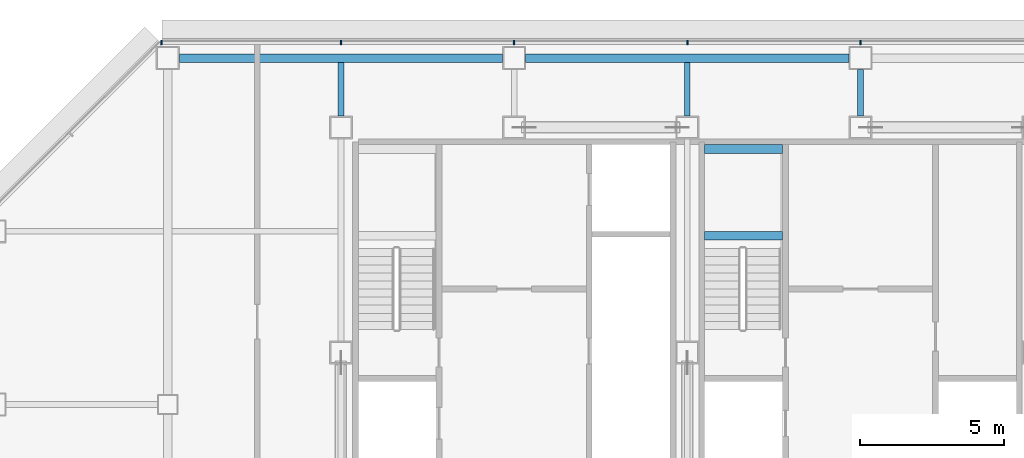
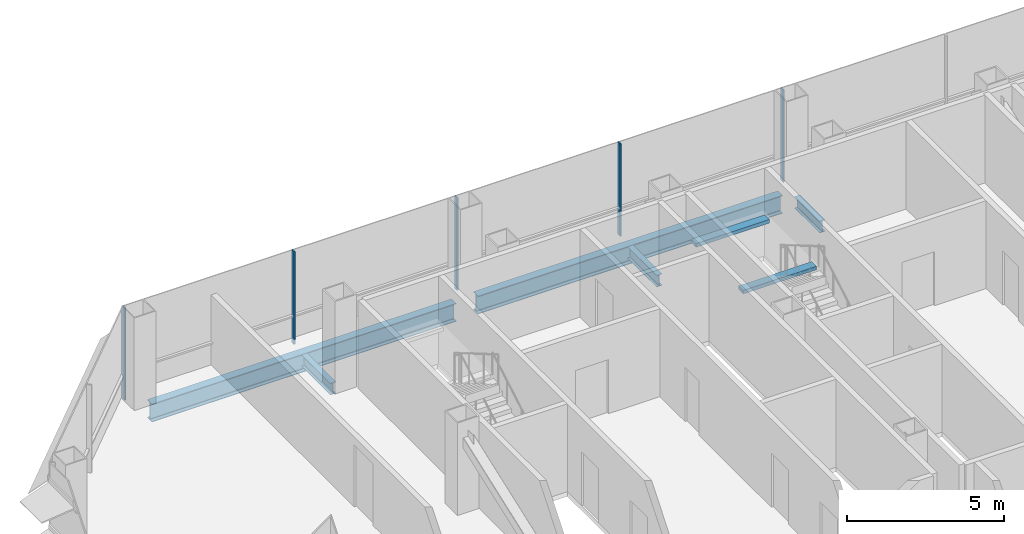
# One storey, part 12 of 25: 7 beams, 5 members, 1 element without a shape of its own.
"""IFC4 building model written with IfcOpenShell, lengths in metres."""

import ifcopenshell
import ifcopenshell.guid

model = None  # the IFC model being written
_history = None  # IfcOwnerHistory: only IFC2X3 demands one
_inside = {}  # id of a spatial element -> (the spatial element, [elements in it])
_under = {}  # id of a project, library or spatial element -> (it, [spatial elements below it])
_declared = {}  # id of a project -> (the project, [libraries it declares])
_typed = {}  # id of a type object -> (the type object, [elements of that type])
_made_of = {}  # id of a material, layer set ... -> (it, [elements and type objects made of it])


def new_model(schema):
    """Start an empty IFC model of exactly this schema.

    Asked for "IFC4X3", IfcOpenShell would pick the latest addendum, in which some entities
    have other attributes; the version numbers below select the first issue.
    IFC2X3 requires an IfcOwnerHistory on every rooted entity: one is made here for all.
    """
    global model, _history
    if schema == "IFC4X3":
        model = ifcopenshell.file(schema_version=(4, 3, 0, 0))
    else:
        model = ifcopenshell.file(schema=schema)
    _inside.clear()
    _under.clear()
    _declared.clear()
    _typed.clear()
    _made_of.clear()
    _history = None
    if model.schema == "IFC2X3":
        org = make("IfcOrganization", Name="unknown")
        user = make(
            "IfcPersonAndOrganization",
            ThePerson=make("IfcPerson", FamilyName="unknown"),
            TheOrganization=org,
        )
        app = make(
            "IfcApplication",
            ApplicationDeveloper=org,
            Version="unknown",
            ApplicationFullName="unknown",
            ApplicationIdentifier="unknown",
        )
        _history = make(
            "IfcOwnerHistory",
            OwningUser=user,
            OwningApplication=app,
            ChangeAction="ADDED",
            CreationDate=0,
        )
    return model


def make(cls, **values):
    """One entity of the class cls with the attributes given. An attribute that is None is left unset."""
    return model.create_entity(
        cls, **{name: value for name, value in values.items() if value is not None}
    )


def rooted(cls, **values):
    """An entity with a GlobalId (a new one), such as an element, a storey or a relation."""
    return make(cls, GlobalId=ifcopenshell.guid.new(), OwnerHistory=_history, **values)


def si_unit(unit_type, name, prefix=None):
    """IfcSIUnit, for example si_unit("LENGTHUNIT", "METRE", prefix="MILLI")."""
    return make("IfcSIUnit", UnitType=unit_type, Prefix=prefix, Name=name)


def assignment(units):
    """IfcUnitAssignment: the units of a project."""
    return None if units is None else make("IfcUnitAssignment", Units=units)


def point(xyz):
    """IfcCartesianPoint."""
    return None if xyz is None else make("IfcCartesianPoint", Coordinates=xyz)


def direction(xyz):
    """IfcDirection."""
    return None if xyz is None else make("IfcDirection", DirectionRatios=xyz)


def frame(location, z_axis=None, x_axis=None):
    """IfcAxis2Placement3D, a coordinate frame: its origin and axes. An axis left out is left unset."""
    return make(
        "IfcAxis2Placement3D",
        Location=point(location),
        Axis=direction(z_axis),
        RefDirection=direction(x_axis),
    )


def frame_2d(location, x_axis=None):
    """IfcAxis2Placement2D, a coordinate frame in the plane: its origin and x axis."""
    return make(
        "IfcAxis2Placement2D", Location=point(location), RefDirection=direction(x_axis)
    )


def origin():
    """The frame at (0, 0, 0) with its axes left unset."""
    return frame((0.0, 0.0, 0.0))


def origin_2d():
    """The frame at (0, 0) in the plane with its x axis left unset."""
    return frame_2d((0.0, 0.0))


def place(relative_to, where):
    """IfcLocalPlacement: puts the frame where relative to a parent placement (None: the world)."""
    return make(
        "IfcLocalPlacement", PlacementRelTo=relative_to, RelativePlacement=where
    )


def context(
    kind, dimensions, precision=None, world=None, true_north=None, identifier=None
):
    """IfcGeometricRepresentationContext, for example the 3D "Model" context."""
    return make(
        "IfcGeometricRepresentationContext",
        ContextIdentifier=identifier,
        ContextType=kind,
        CoordinateSpaceDimension=dimensions,
        Precision=precision,
        WorldCoordinateSystem=world,
        TrueNorth=true_north,
    )


def subcontext(parent, identifier, kind, view, scale=None):
    """IfcGeometricRepresentationSubContext, for example "Body" below "Model"."""
    return make(
        "IfcGeometricRepresentationSubContext",
        ContextIdentifier=identifier,
        ContextType=kind,
        ParentContext=parent,
        TargetScale=scale,
        TargetView=view,
    )


def project(units=None, contexts=None):
    """IfcProject with its units and contexts."""
    return rooted(
        "IfcProject",
        Name="project",
        RepresentationContexts=contexts,
        UnitsInContext=assignment(units),
    )


def spatial(cls, under=None, at=None, **own):
    """A site, building, storey or space (cls), placed at a placement, below another one or the project."""
    s = rooted(cls, ObjectPlacement=at, **own)
    if under is not None:
        _under.setdefault(under.id(), (under, []))[1].append(s)
    return s


def profile(cls, at=None, kind="AREA", **sizes):
    """A parametric profile (cls). Its sizes go by their IFC names, for example OverallWidth=200.0."""
    return make(cls, ProfileType=kind, Position=at, **sizes)


def rectangle(**sizes):
    """IfcRectangleProfileDef."""
    return profile("IfcRectangleProfileDef", **sizes)


def i_section(**sizes):
    """IfcIShapeProfileDef."""
    return profile("IfcIShapeProfileDef", **sizes)


def extrude(swept, where, along, depth):
    """IfcExtrudedAreaSolid: the profile swept, set in the frame where, extruded along a direction by depth."""
    return make(
        "IfcExtrudedAreaSolid",
        SweptArea=swept,
        Position=where,
        ExtrudedDirection=direction(along),
        Depth=depth,
    )


def shape(context_of_items, identifier, shape_type, items):
    """IfcShapeRepresentation: the items that make up one representation, for example the "Body"."""
    return make(
        "IfcShapeRepresentation",
        ContextOfItems=context_of_items,
        RepresentationIdentifier=identifier,
        RepresentationType=shape_type,
        Items=items,
    )


def material(Name=None, Category=None):
    """IfcMaterial."""
    return make("IfcMaterial", Name=Name, Category=Category)


def material_profile(
    of_material, cross_section, Name=None, Category=None, Priority=None
):
    """IfcMaterialProfile: a cross section and its material."""
    return make(
        "IfcMaterialProfile",
        Name=Name,
        Material=of_material,
        Profile=cross_section,
        Priority=Priority,
        Category=Category,
    )


def profile_set(profiles, Name=None, composite=None):
    """IfcMaterialProfileSet."""
    return make(
        "IfcMaterialProfileSet",
        Name=Name,
        MaterialProfiles=profiles,
        CompositeProfile=composite,
    )


def made_of(thing, what):
    """Note that an element or type object is made of a material, layer set ...; save() writes the relation."""
    if what is not None:
        _made_of.setdefault(what.id(), (what, []))[1].append(thing)
    return thing


def type_object(cls, material=None, **own):
    """A type object (cls), such as IfcWallType, which elements share."""
    return made_of(rooted(cls, **own), material)


def element(
    cls,
    number,
    at=None,
    inside=None,
    cuts=None,
    type_object=None,
    material=None,
    context=None,
    identifier="Body",
    shape_type=None,
    held_by="IfcProductDefinitionShape",
    body=None,
    shapes=None,
    **own,
):
    """One element of the class cls, such as IfcWall. Its Tag is "e" and its number.

    at: its placement. inside: the storey or other place that contains it. cuts: it is an
    opening in that element (IfcRelVoidsElement). A single representation is given by context,
    identifier, shape_type and body (its items); several are given by shapes. held_by: the class
    of the entity that holds the representations. save() writes the other relations.
    """
    e = rooted(cls, Tag="e%d" % number, ObjectPlacement=at, **own)
    if body is not None:
        shapes = [shape(context, identifier, shape_type, body)]
    if shapes is not None:
        e.Representation = make(held_by, Representations=shapes)
    if inside is not None:
        _inside.setdefault(inside.id(), (inside, []))[1].append(e)
    if cuts is not None:
        rooted(
            "IfcRelVoidsElement", RelatingBuildingElement=cuts, RelatedOpeningElement=e
        )
    if type_object is not None:
        _typed.setdefault(type_object.id(), (type_object, []))[1].append(e)
    return made_of(e, material)


def aggregate(whole, parts):
    """IfcRelAggregates: a whole, such as a stair, and the parts it consists of."""
    return rooted("IfcRelAggregates", RelatingObject=whole, RelatedObjects=parts)


def save(model, path):
    """Write the relations noted so far, then the file.

    IfcRelAggregates (storeys below a building ...), IfcRelContainedInSpatialStructure (elements
    in a storey), IfcRelDefinesByType, IfcRelAssociatesMaterial and IfcRelDeclares: one each for
    every whole, place, type object, material and project.
    """
    for whole, parts in _under.values():
        aggregate(whole, parts)
    for where, things in _inside.values():
        rooted(
            "IfcRelContainedInSpatialStructure",
            RelatedElements=things,
            RelatingStructure=where,
        )
    for kind, things in _typed.values():
        rooted("IfcRelDefinesByType", RelatedObjects=things, RelatingType=kind)
    for what, things in _made_of.values():
        rooted("IfcRelAssociatesMaterial", RelatedObjects=things, RelatingMaterial=what)
    for by, libraries in _declared.values():
        rooted("IfcRelDeclares", RelatingContext=by, RelatedDefinitions=libraries)
    model.write(path)


model = new_model("IFC4")

# Units and contexts
model_context = context("Model", 3, precision=1e-05, world=origin(), true_north=direction((0.0, 1.0)))
body_context = subcontext(model_context, "Body", "Model", "MODEL_VIEW")
ifc_project = project(units=[si_unit("LENGTHUNIT", "METRE"), si_unit("AREAUNIT", "SQUARE_METRE"), si_unit("VOLUMEUNIT", "CUBIC_METRE"), si_unit("PLANEANGLEUNIT", "RADIAN"), si_unit("MASSUNIT", "GRAM", prefix="KILO")], contexts=[model_context])

# Site, building, storey
site_placement = place(None, origin())
site = spatial("IfcSite", under=ifc_project, at=site_placement, CompositionType="ELEMENT")
building_placement = place(site_placement, origin())
building = spatial("IfcBuilding", under=site, at=building_placement, Name="Sorahane Residences", CompositionType="ELEMENT")
storey_placement = place(building_placement, frame((0.0, 0.0, 143.800048828125)))
storey = spatial("IfcBuildingStorey", under=building, at=storey_placement, Name="L32", CompositionType="ELEMENT", Elevation=143.800048828125)

# Curtain wall, members
ifc_material_1 = material(Name="Dark low-e glass and black anodised aluminium", Category="aluminium")
curtain_wall_type = type_object("IfcCurtainWallType", Name="Curtain wall CW-1 Typical unitised wall", PredefinedType="NOTDEFINED", material=ifc_material_1)
curtain_wall_placement = place(storey_placement, origin())
curtain_wall = element("IfcCurtainWall", 1, at=curtain_wall_placement, inside=storey, type_object=curtain_wall_type, Name="CW-1 curtain wall L32 N1", PredefinedType="NOTDEFINED")
ifc_material_2 = material(Name="Black anodised aluminium", Category="aluminium")
ifc_material_profile_1 = material_profile(ifc_material_2, rectangle(XDim=0.159912109375, YDim=0.050048828125, at=origin_2d()), Name="Curtain wall mullion CW-1 black anodised aluminium 50x160")
ifc_profile_set_1 = profile_set([ifc_material_profile_1], Name="Black anodised aluminium")
member_type = type_object("IfcMemberType", Name="Curtain wall mullion CW-1 black anodised aluminium 50x160", PredefinedType="MULLION", material=ifc_profile_set_1)
member_1_placement = place(storey_placement, frame((24.0, 48.5400390625, -0.179931640625), z_axis=(0.0, 0.0, 1.0), x_axis=(0.0, 1.0, 0.0)))
member_1 = element("IfcMember", 2, at=member_1_placement, type_object=member_type, Name="CW-1 mullion L32 N1.6", PredefinedType="MULLION", context=body_context, shape_type="SweptSolid", body=[
    extrude(rectangle(XDim=0.159912109375, YDim=0.050048828125, at=origin_2d()), origin(), (0.0, 0.0, 1.0), 3.599853515625),
])
member_2_placement = place(storey_placement, frame((18.0, 48.5400390625, -0.179931640625), z_axis=(0.0, 0.0, 1.0), x_axis=(0.0, 1.0, 0.0)))
member_2 = element("IfcMember", 3, at=member_2_placement, type_object=member_type, Name="CW-1 mullion L32 N1.7", PredefinedType="MULLION", context=body_context, shape_type="SweptSolid", body=[
    extrude(rectangle(XDim=0.159912109375, YDim=0.050048828125, at=origin_2d()), origin(), (0.0, 0.0, 1.0), 3.599853515625),
])
member_3_placement = place(storey_placement, frame((12.0, 48.5400390625, -0.179931640625), z_axis=(0.0, 0.0, 1.0), x_axis=(0.0, 1.0, 0.0)))
member_3 = element("IfcMember", 4, at=member_3_placement, type_object=member_type, Name="CW-1 mullion L32 N1.8", PredefinedType="MULLION", context=body_context, shape_type="SweptSolid", body=[
    extrude(rectangle(XDim=0.159912109375, YDim=0.050048828125, at=origin_2d()), origin(), (0.0, 0.0, 1.0), 3.599853515625),
])
member_4_placement = place(storey_placement, frame((6.0, 48.5400390625, -0.179931640625), z_axis=(0.0, 0.0, 1.0), x_axis=(0.0, 1.0, 0.0)))
member_4 = element("IfcMember", 5, at=member_4_placement, type_object=member_type, Name="CW-1 mullion L32 N1.9", PredefinedType="MULLION", context=body_context, shape_type="SweptSolid", body=[
    extrude(rectangle(XDim=0.159912109375, YDim=0.050048828125, at=origin_2d()), origin(), (0.0, 0.0, 1.0), 3.599853515625),
])
member_5_placement = place(storey_placement, frame((-0.2236328125, 48.5400390625, -0.179931640625), z_axis=(0.0, 0.0, 1.0), x_axis=(0.0, 1.0, 0.0)))
member_5 = element("IfcMember", 6, at=member_5_placement, type_object=member_type, Name="CW-1 mullion L32 N1.10", PredefinedType="MULLION", context=body_context, shape_type="SweptSolid", body=[
    extrude(rectangle(XDim=0.159912109375, YDim=0.050048828125, at=origin_2d()), origin(), (0.0, 0.0, 1.0), 3.599853515625),
])
aggregate(curtain_wall, [member_1, member_2, member_3, member_4, member_5])

# Beams
ifc_material_3 = material(Name="Concrete C40", Category="concrete")
ifc_material_profile_2 = material_profile(ifc_material_3, rectangle(XDim=0.300048828125, YDim=0.139892578125, at=origin_2d()), Name="300x140")
ifc_profile_set_2 = profile_set([ifc_material_profile_2], Name="Concrete C40")
beam_type_1 = type_object("IfcBeamType", Name="RC landing beam 300 x 140 Concrete C40", PredefinedType="BEAM", material=ifc_profile_set_2)
for number, where, z_axis, x_axis, name in (
    (7, (18.60009765625, 41.85009765625, 1.530029296875), (1.0, 0.0, 0.0), (0.0, 1.0, 0.0), "Landing beam"),
    (8, (18.60009765625, 44.85009765625, 1.530029296875), (1.0, 0.0, 0.0), (0.0, 1.0, 0.0), "Landing beam"),
):
    element("IfcBeam", number, at=place(storey_placement, frame(where, z_axis=z_axis, x_axis=x_axis)), inside=storey, type_object=beam_type_1, Name=name, PredefinedType="BEAM", context=body_context, shape_type="SweptSolid", body=[
        extrude(rectangle(XDim=0.300048828125, YDim=0.139892578125, at=origin_2d()), origin(), (0.0, 0.0, 1.0), 2.699951171875),
    ])
ifc_material_4 = material(Name="Steel Q355B", Category="steel")
ifc_material_profile_3 = material_profile(ifc_material_4, i_section(OverallWidth=0.199951171875, OverallDepth=0.449951171875, WebThickness=0.009033203125, FlangeThickness=0.013916015625, FilletRadius=0.02001953125, at=origin_2d()), Name="HN 450x200x9x14")
ifc_profile_set_3 = profile_set([ifc_material_profile_3], Name="Steel Q355B")
beam_type_2 = type_object("IfcBeamType", Name="Steel floor beam HN 450x200x9x14 Q355B", PredefinedType="BEAM", material=ifc_profile_set_3)
for number, where, z_axis, x_axis, name in (
    (9, (6.0, 46.0, -0.405029296875), (0.0, 1.0, 0.0), (-1.0, 0.0, 0.0), "Beam L32 033"),
    (10, (18.0, 46.0, -0.405029296875), (0.0, 1.0, 0.0), (-1.0, 0.0, 0.0), "Beam L32 041"),
):
    element("IfcBeam", number, at=place(storey_placement, frame(where, z_axis=z_axis, x_axis=x_axis)), inside=storey, type_object=beam_type_2, Name=name, PredefinedType="BEAM", context=body_context, shape_type="SweptSolid", body=[
        extrude(i_section(OverallWidth=0.199951171875, OverallDepth=0.449951171875, WebThickness=0.009033203125, FlangeThickness=0.013916015625, FilletRadius=0.02001953125, at=origin_2d()), origin(), (0.0, 0.0, 1.0), 1.85009765625),
    ])
beam_placement = place(storey_placement, frame((24.0, 46.0, -0.405029296875), z_axis=(0.0, 1.0, 0.0), x_axis=(-1.0, 0.0, 0.0)))
element("IfcBeam", 11, at=beam_placement, inside=storey, type_object=beam_type_2, Name="Beam L32 043", PredefinedType="BEAM", context=body_context, shape_type="SweptSolid", body=[
    extrude(i_section(OverallWidth=0.199951171875, OverallDepth=0.449951171875, WebThickness=0.009033203125, FlangeThickness=0.013916015625, FilletRadius=0.02001953125, at=origin_2d()), origin(), (0.0, 0.0, 1.0), 1.60009765625),
])
ifc_material_5 = material(Name="Steel Q355B", Category="steel")
ifc_material_profile_4 = material_profile(ifc_material_5, i_section(OverallWidth=0.300048828125, OverallDepth=0.699951171875, WebThickness=0.012939453125, FlangeThickness=0.02392578125, FilletRadius=0.028076171875, at=origin_2d()), Name="HN 700x300x13x24")
ifc_profile_set_4 = profile_set([ifc_material_profile_4], Name="Steel Q355B")
beam_type_3 = type_object("IfcBeamType", Name="Steel floor beam HN 700x300x13x24 Q355B", PredefinedType="BEAM", material=ifc_profile_set_4)
for number, where, z_axis, x_axis, name in (
    (12, (0.39990234375, 48.0, -0.530029296875), (1.0, 0.0, 0.0), (0.0, 1.0, 0.0), "Beam L32 015"),
    (13, (12.39990234375, 48.0, -0.530029296875), (1.0, 0.0, 0.0), (0.0, 1.0, 0.0), "Beam L32 016"),
):
    element("IfcBeam", number, at=place(storey_placement, frame(where, z_axis=z_axis, x_axis=x_axis)), inside=storey, type_object=beam_type_3, Name=name, PredefinedType="BEAM", context=body_context, shape_type="SweptSolid", body=[
        extrude(i_section(OverallWidth=0.300048828125, OverallDepth=0.699951171875, WebThickness=0.012939453125, FlangeThickness=0.02392578125, FilletRadius=0.028076171875, at=origin_2d()), origin(), (0.0, 0.0, 1.0), 11.2001953125),
    ])

save(model, "model.ifc")
